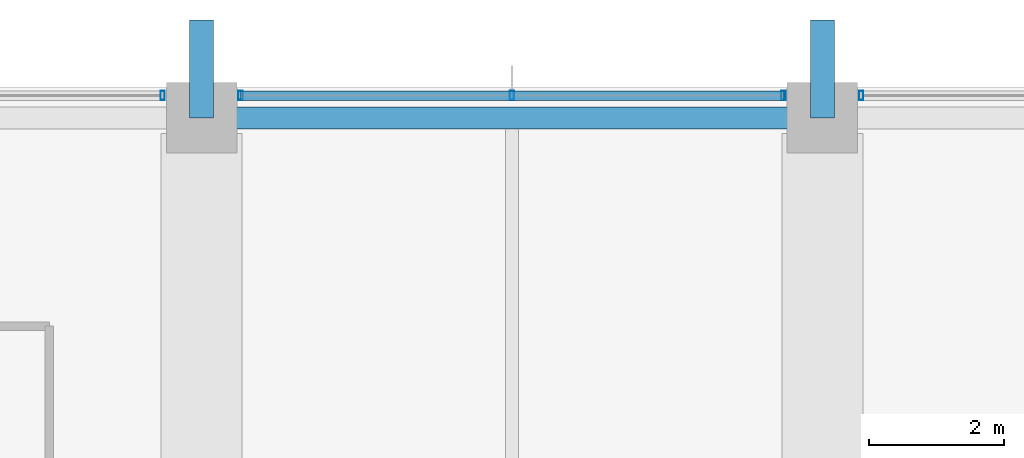
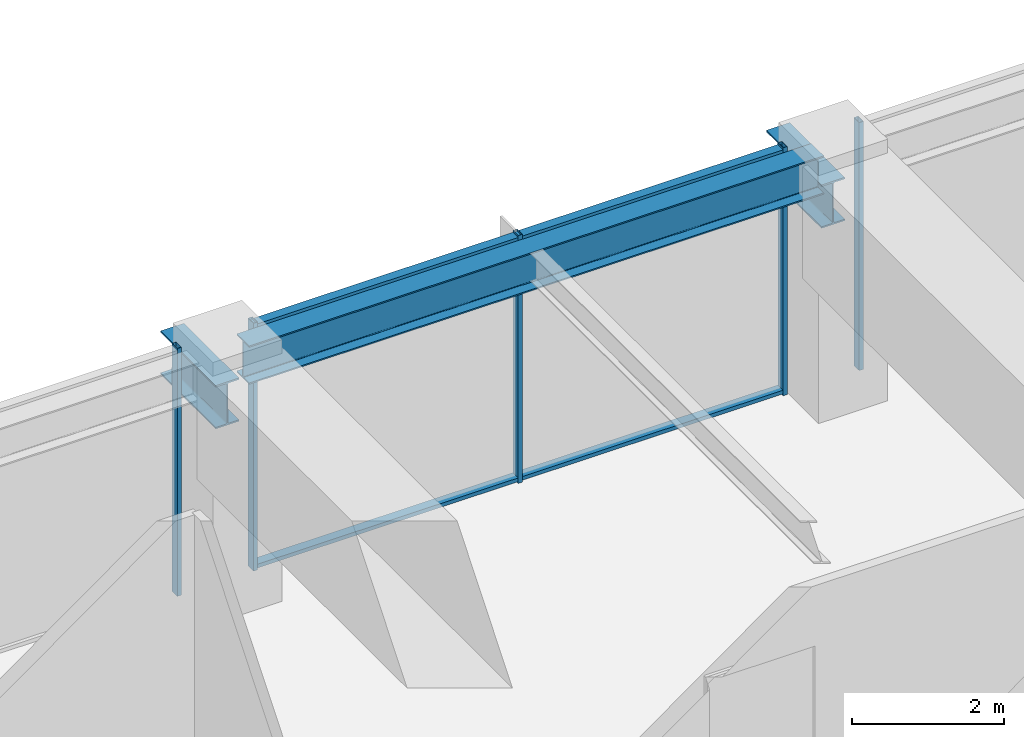
# One storey, part 24 of 40: 7 members, 3 beams, 3 elements without a shape of their own.
"""IFC4 building model written with IfcOpenShell, lengths in metres."""

from ifc_helpers import new_model, si_unit, direction, frame, origin, origin_2d, place, context, subcontext, project, spatial, hollow_rectangle, i_section, extrude, material, material_profile, profile_set, type_object, element, aggregate, save


model = new_model("IFC4")

# Units and contexts
model_context = context("Model", 3, precision=1e-05, world=origin(), true_north=direction((0.0, 1.0)))
body_context = subcontext(model_context, "Body", "Model", "MODEL_VIEW")
ifc_project = project(units=[si_unit("LENGTHUNIT", "METRE"), si_unit("AREAUNIT", "SQUARE_METRE"), si_unit("VOLUMEUNIT", "CUBIC_METRE"), si_unit("PLANEANGLEUNIT", "RADIAN"), si_unit("MASSUNIT", "GRAM", prefix="KILO")], contexts=[model_context])

# Site, building, storey
site_placement = place(None, origin())
site = spatial("IfcSite", under=ifc_project, at=site_placement, CompositionType="ELEMENT")
building_placement = place(site_placement, origin())
building = spatial("IfcBuilding", under=site, at=building_placement, Name="Kolvaren Belvedere", CompositionType="ELEMENT")
storey_placement = place(building_placement, frame((0.0, 0.0, 68.0)))
storey = spatial("IfcBuildingStorey", under=building, at=storey_placement, Name="L19", CompositionType="ELEMENT", Elevation=68.0)

# Beams
ifc_material_1 = material(Name="Structural steel ASTM A992 Grade 50", Category="steel")
ifc_material_profile_1 = material_profile(ifc_material_1, i_section(OverallWidth=0.35498046875, OverallDepth=0.696044921875, WebThickness=0.015380859375, FlangeThickness=0.02490234375, FilletRadius=0.02197265625, at=origin_2d()), Name="W27X146")
ifc_profile_set_1 = profile_set([ifc_material_profile_1], Name="Structural steel ASTM A992 Grade 50")
beam_type_1 = type_object("IfcBeamType", Name="BM-CANT-BAL", PredefinedType="BEAM", material=ifc_profile_set_1)
for number, where, z_axis, x_axis, name in (
    (1, (4.60009765625, 19.949951171875, 3.0419921875), (0.0, 1.0, 0.0), (-1.0, 0.0, 0.0), "L19 North Picture-Frame Column Corbel P"),
    (2, (-4.60009765625, 19.949951171875, 3.0419921875), (0.0, 1.0, 0.0), (-1.0, 0.0, 0.0), "L19 North Picture-Frame Column Corbel M"),
):
    element("IfcBeam", number, at=place(storey_placement, frame(where, z_axis=z_axis, x_axis=x_axis)), inside=storey, type_object=beam_type_1, Name=name, PredefinedType="BEAM", context=body_context, shape_type="SweptSolid", body=[
        extrude(i_section(OverallWidth=0.35498046875, OverallDepth=0.696044921875, WebThickness=0.015380859375, FlangeThickness=0.02490234375, FilletRadius=0.02197265625, at=origin_2d()), origin(), (0.0, 0.0, 1.0), 1.449951171875),
    ])
ifc_material_2 = material(Name="Structural steel ASTM A992 Grade 50", Category="steel")
ifc_material_profile_2 = material_profile(ifc_material_2, i_section(OverallWidth=0.324951171875, OverallDepth=0.615966796875, WebThickness=0.013916015625, FlangeThickness=0.021484375, FilletRadius=0.02001953125, at=origin_2d()), Name="W24X117")
ifc_profile_set_2 = profile_set([ifc_material_profile_2], Name="Structural steel ASTM A992 Grade 50")
beam_type_2 = type_object("IfcBeamType", Name="BM-SPAN-W24X117", PredefinedType="SPANDREL", material=ifc_profile_set_2)
beam_placement = place(storey_placement, frame((4.36376953125, 19.949951171875, 3.672119140625), z_axis=(-1.0, 0.0, 0.0), x_axis=(0.0, -1.0, 0.0)))
element("IfcBeam", 3, at=beam_placement, inside=storey, type_object=beam_type_2, Name="L19 Perimeter Spandrel N3-N2", PredefinedType="SPANDREL", context=body_context, shape_type="SweptSolid", body=[
    extrude(i_section(OverallWidth=0.324951171875, OverallDepth=0.615966796875, WebThickness=0.013916015625, FlangeThickness=0.021484375, FilletRadius=0.02001953125, at=origin_2d()), origin(), (0.0, 0.0, 1.0), 8.7275390625),
])

# Curtain wall, member
ifc_material_3 = material(Name="Anodised pale-metal aluminium AA 6063-T6", Category="aluminium")
curtain_wall_type = type_object("IfcCurtainWallType", Name="CW-Z2-MID", PredefinedType="NOTDEFINED", material=ifc_material_3)
curtain_wall_1_placement = place(storey_placement, origin())
curtain_wall_1 = element("IfcCurtainWall", 4, at=curtain_wall_1_placement, inside=storey, type_object=curtain_wall_type, Name="L19 Unitised Curtain Wall FCW-L19-N-B1", PredefinedType="NOTDEFINED")
ifc_material_4 = material(Name="Anodised pale-metal aluminium AA 6063-T6", Category="aluminium")
ifc_material_profile_3 = material_profile(ifc_material_4, hollow_rectangle(XDim=0.06494140625, YDim=0.139892578125, WallThickness=0.00390625, at=origin_2d()), Name="ALU-MUL-140X65")
ifc_profile_set_3 = profile_set([ifc_material_profile_3], Name="Anodised pale-metal aluminium AA 6063-T6")
member_type_1 = type_object("IfcMemberType", Name="CW-MUL-140", PredefinedType="MULLION", material=ifc_profile_set_3)
member_1_placement = place(storey_placement, frame((-5.177490234375, 20.280029296875, 0.0), z_axis=(0.0, 0.0, 1.0), x_axis=(1.0, 0.0, 0.0)))
member_1 = element("IfcMember", 5, at=member_1_placement, type_object=member_type_1, Name="FCW-L19-N-B1 Unitised Mullion 3", PredefinedType="MULLION", context=body_context, shape_type="SweptSolid", body=[
    extrude(hollow_rectangle(XDim=0.06494140625, YDim=0.139892578125, WallThickness=0.00390625, at=origin_2d()), origin(), (0.0, 0.0, 1.0), 3.97998046875),
])
aggregate(curtain_wall_1, [member_1])

# Curtain wall, members
curtain_wall_2_placement = place(storey_placement, origin())
curtain_wall_2 = element("IfcCurtainWall", 6, at=curtain_wall_2_placement, inside=storey, type_object=curtain_wall_type, Name="L19 Unitised Curtain Wall FCW-L19-N-B2", PredefinedType="NOTDEFINED")
member_2_placement = place(storey_placement, frame((-4.0224609375, 20.280029296875, 0.0), z_axis=(0.0, 0.0, 1.0), x_axis=(1.0, 0.0, 0.0)))
member_2 = element("IfcMember", 7, at=member_2_placement, type_object=member_type_1, Name="FCW-L19-N-B2 Unitised Mullion 1", PredefinedType="MULLION", context=body_context, shape_type="SweptSolid", body=[
    extrude(hollow_rectangle(XDim=0.06494140625, YDim=0.139892578125, WallThickness=0.00390625, at=origin_2d()), origin(), (0.0, 0.0, 1.0), 3.97998046875),
])
member_3_placement = place(storey_placement, frame((0.0, 20.280029296875, 0.0), z_axis=(0.0, 0.0, 1.0), x_axis=(1.0, 0.0, 0.0)))
member_3 = element("IfcMember", 8, at=member_3_placement, type_object=member_type_1, Name="FCW-L19-N-B2 Unitised Mullion 2", PredefinedType="MULLION", context=body_context, shape_type="SweptSolid", body=[
    extrude(hollow_rectangle(XDim=0.06494140625, YDim=0.139892578125, WallThickness=0.00390625, at=origin_2d()), origin(), (0.0, 0.0, 1.0), 3.97998046875),
])
member_4_placement = place(storey_placement, frame((4.0224609375, 20.280029296875, 0.0), z_axis=(0.0, 0.0, 1.0), x_axis=(1.0, 0.0, 0.0)))
member_4 = element("IfcMember", 9, at=member_4_placement, type_object=member_type_1, Name="FCW-L19-N-B2 Unitised Mullion 3", PredefinedType="MULLION", context=body_context, shape_type="SweptSolid", body=[
    extrude(hollow_rectangle(XDim=0.06494140625, YDim=0.139892578125, WallThickness=0.00390625, at=origin_2d()), origin(), (0.0, 0.0, 1.0), 3.97998046875),
])

# Curtain wall, member
curtain_wall_3_placement = place(storey_placement, origin())
curtain_wall_3 = element("IfcCurtainWall", 10, at=curtain_wall_3_placement, inside=storey, type_object=curtain_wall_type, Name="L19 Unitised Curtain Wall FCW-L19-N-B3", PredefinedType="NOTDEFINED")
member_5_placement = place(storey_placement, frame((5.177490234375, 20.280029296875, 0.0), z_axis=(0.0, 0.0, 1.0), x_axis=(1.0, 0.0, 0.0)))
member_5 = element("IfcMember", 11, at=member_5_placement, type_object=member_type_1, Name="FCW-L19-N-B3 Unitised Mullion 1", PredefinedType="MULLION", context=body_context, shape_type="SweptSolid", body=[
    extrude(hollow_rectangle(XDim=0.06494140625, YDim=0.139892578125, WallThickness=0.00390625, at=origin_2d()), origin(), (0.0, 0.0, 1.0), 3.97998046875),
])
aggregate(curtain_wall_3, [member_5])

# Member
ifc_material_5 = material(Name="Anodised pale-metal aluminium AA 6063-T6", Category="aluminium")
ifc_material_profile_4 = material_profile(ifc_material_5, hollow_rectangle(XDim=0.06005859375, YDim=0.139892578125, WallThickness=0.00390625, at=origin_2d()), Name="ALU-TRN-140X60")
ifc_profile_set_4 = profile_set([ifc_material_profile_4], Name="Anodised pale-metal aluminium AA 6063-T6")
member_type_2 = type_object("IfcMemberType", Name="CW-TRN-140", PredefinedType="USERDEFINED", material=ifc_profile_set_4)
member_6_placement = place(storey_placement, frame((-4.0224609375, 20.280029296875, 0.06005859375), z_axis=(1.0, 0.0, 0.0), x_axis=(0.0, 0.0, 1.0)))
member_6 = element("IfcMember", 12, at=member_6_placement, type_object=member_type_2, Name="FCW-L19-N-B2 Sill Transom", ObjectType="TRANSOM", PredefinedType="USERDEFINED", context=body_context, shape_type="SweptSolid", body=[
    extrude(hollow_rectangle(XDim=0.06005859375, YDim=0.139892578125, WallThickness=0.00390625, at=origin_2d()), origin(), (0.0, 0.0, 1.0), 8.044921875),
])

member_7_placement = place(storey_placement, frame((-4.0224609375, 20.280029296875, 3.919921875), z_axis=(1.0, 0.0, 0.0), x_axis=(0.0, 0.0, 1.0)))
member_7 = element("IfcMember", 13, at=member_7_placement, type_object=member_type_2, Name="FCW-L19-N-B2 Head Transom", ObjectType="TRANSOM", PredefinedType="USERDEFINED", context=body_context, shape_type="SweptSolid", body=[
    extrude(hollow_rectangle(XDim=0.06005859375, YDim=0.139892578125, WallThickness=0.00390625, at=origin_2d()), origin(), (0.0, 0.0, 1.0), 8.044921875),
])

aggregate(curtain_wall_2, [member_2, member_3, member_4, member_6, member_7])

save(model, "model.ifc")
